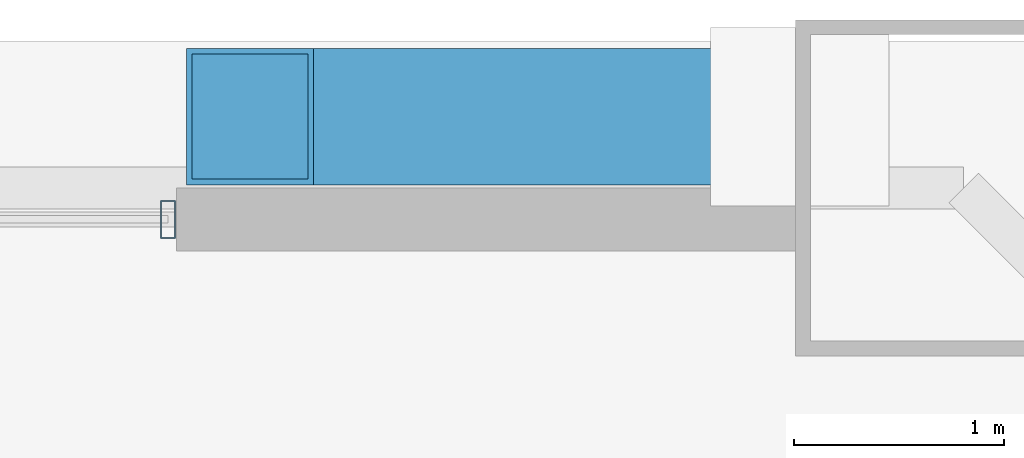
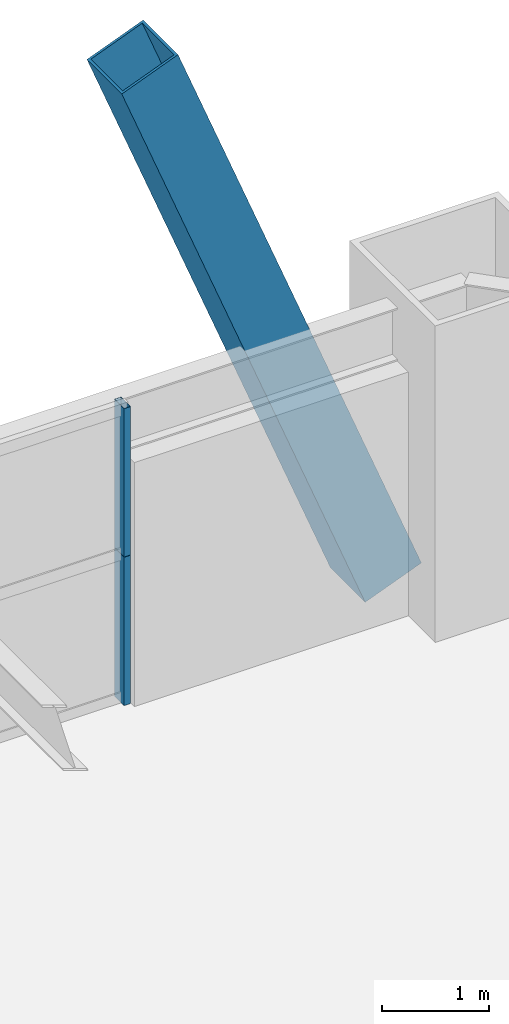
# One storey, part 37 of 43: 3 members, 1 element without a shape of its own.
"""IFC4 building model written with IfcOpenShell, lengths in metres."""

from ifc_helpers import new_model, si_unit, direction, frame, origin, origin_2d, place, context, subcontext, project, spatial, hollow_rectangle, extrude, source, transform, mapped, material, layer, layer_set, material_profile, profile_set, type_object, element, aggregate, save


model = new_model("IFC4")

# Units and contexts
model_context = context("Model", 3, precision=1e-05, world=origin(), true_north=direction((0.0, 1.0)))
body_context = subcontext(model_context, "Body", "Model", "MODEL_VIEW")
ifc_project = project(units=[si_unit("LENGTHUNIT", "METRE"), si_unit("AREAUNIT", "SQUARE_METRE"), si_unit("VOLUMEUNIT", "CUBIC_METRE"), si_unit("PLANEANGLEUNIT", "RADIAN"), si_unit("MASSUNIT", "GRAM", prefix="KILO"), si_unit("THERMODYNAMICTEMPERATUREUNIT", "KELVIN"), si_unit("POWERUNIT", "WATT")], contexts=[model_context])

# Site, building, storey
site_placement = place(None, origin())
site = spatial("IfcSite", under=ifc_project, at=site_placement, CompositionType="ELEMENT")
building_placement = place(site_placement, origin())
building = spatial("IfcBuilding", under=site, at=building_placement, Name="Yuzanri Waterfront Tower", CompositionType="ELEMENT")
storey_placement = place(building_placement, frame((0.0, 0.0, 101.0)))
storey = spatial("IfcBuildingStorey", under=building, at=storey_placement, Name="L26", CompositionType="ELEMENT", Elevation=101.0)

# Member
ifc_material_1 = material(Name="Steel Q420GJC", Category="steel")
ifc_material_profile_1 = material_profile(ifc_material_1, hollow_rectangle(XDim=0.64990234375, YDim=0.64990234375, WallThickness=0.028076171875, at=origin_2d()), Name="RHS 650x650x28")
ifc_profile_set_1 = profile_set([ifc_material_profile_1], Name="Steel Q420GJC")
member_type_1 = type_object("IfcMemberType", Name="Mega Brace Lower Q420GJC RHS 650x650x28", PredefinedType="BRACE", material=ifc_profile_set_1)
shared_shape_1 = source(origin(), body_context, "Body", "SweptSolid", [
    extrude(hollow_rectangle(XDim=0.64990234375, YDim=0.64990234375, WallThickness=0.028076171875, at=origin_2d()), origin(), (0.0, 0.0, 1.0), 7.19384765625),
])
member_1_placement = place(storey_placement, frame((56.219970703125, 49.739990234375, 0.179931640625), z_axis=(-0.36417668996, 0.0, 0.9313298763), x_axis=(0.0, -1.0, 0.0)))
element("IfcMember", 1, at=member_1_placement, inside=storey, type_object=member_type_1, Name="L26-L27 Perimeter Mega-Brace N-R", PredefinedType="BRACE", context=body_context, shape_type="MappedRepresentation", body=[
    mapped(shared_shape_1, transform((0.0, 0.0, 0.0), scale=1.0)),
])

# Curtain wall, members
ifc_material_2 = material(Name="Anodized Architectural Bronze", Category="metal")
ifc_layer = layer(ifc_material_2, 0.159912109375)
ifc_layer_set = layer_set([ifc_layer], Name="Anodized Architectural Bronze")
curtain_wall_type = type_object("IfcCurtainWallType", Name="Anodized Bronze Hotel Upper-Tier Solar-Control Unitized Curtain Wall 7800", PredefinedType="NOTDEFINED", material=ifc_layer_set)
curtain_wall_placement = place(storey_placement, origin())
curtain_wall = element("IfcCurtainWall", 2, at=curtain_wall_placement, inside=storey, type_object=curtain_wall_type, Name="L26 Curtain Wall CW-L26-NR", PredefinedType="NOTDEFINED")
ifc_material_3 = material(Name="Anodized Architectural Bronze", Category="metal")
ifc_material_profile_2 = material_profile(ifc_material_3, hollow_rectangle(XDim=0.070068359375, YDim=0.179931640625, WallThickness=0.00390625, at=origin_2d()), Name="CWM 70x180")
ifc_profile_set_2 = profile_set([ifc_material_profile_2], Name="Anodized Architectural Bronze")
member_type_2 = type_object("IfcMemberType", Name="Anodized Bronze Standard Curtain-Wall Mullion 70x180", PredefinedType="MULLION", material=ifc_profile_set_2)
shared_shape_2 = source(origin(), body_context, "Body", "SweptSolid", [
    extrude(hollow_rectangle(XDim=0.070068359375, YDim=0.179931640625, WallThickness=0.00390625, at=origin_2d()), origin(), (0.0, 0.0, 1.0), 1.68798828125),
])
member_2_placement = place(storey_placement, frame((53.2099609375, 49.25, 0.0), z_axis=(0.0, 0.0, 1.0), x_axis=(1.0, 0.0, 0.0)))
member_2 = element("IfcMember", 3, at=member_2_placement, type_object=member_type_2, Name="CW-L26-NR Lower Mullion 02", PredefinedType="MULLION", context=body_context, shape_type="MappedRepresentation", body=[
    mapped(shared_shape_2, transform((0.0, 0.0, 0.0), scale=1.0)),
])
member_3_placement = place(storey_placement, frame((53.2099609375, 49.25, 1.69189453125), z_axis=(0.0, 0.0, 1.0), x_axis=(1.0, 0.0, 0.0)))
member_3 = element("IfcMember", 4, at=member_3_placement, type_object=member_type_2, Name="CW-L26-NR Upper Mullion 02", PredefinedType="MULLION", context=body_context, shape_type="MappedRepresentation", body=[
    mapped(shared_shape_2, transform((0.0, 0.0, 0.0), scale=1.0)),
])
aggregate(curtain_wall, [member_2, member_3])

save(model, "model.ifc")
